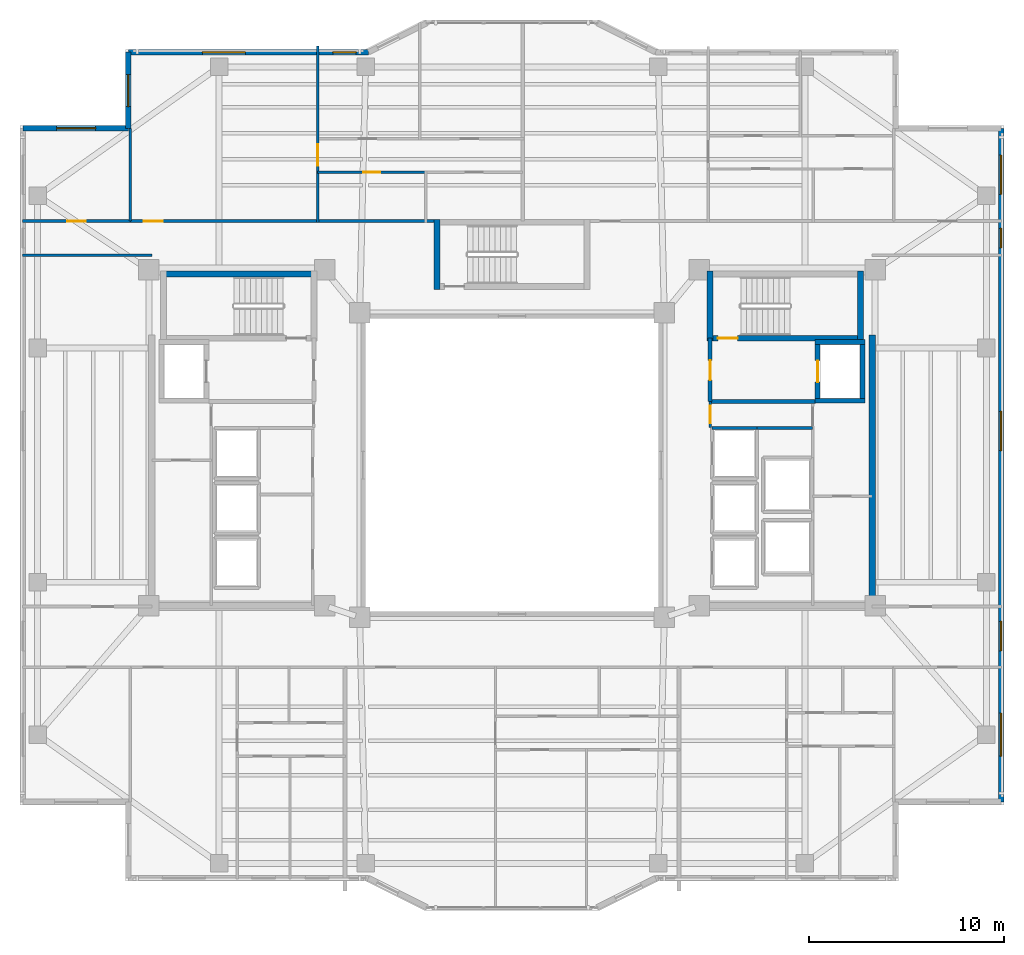
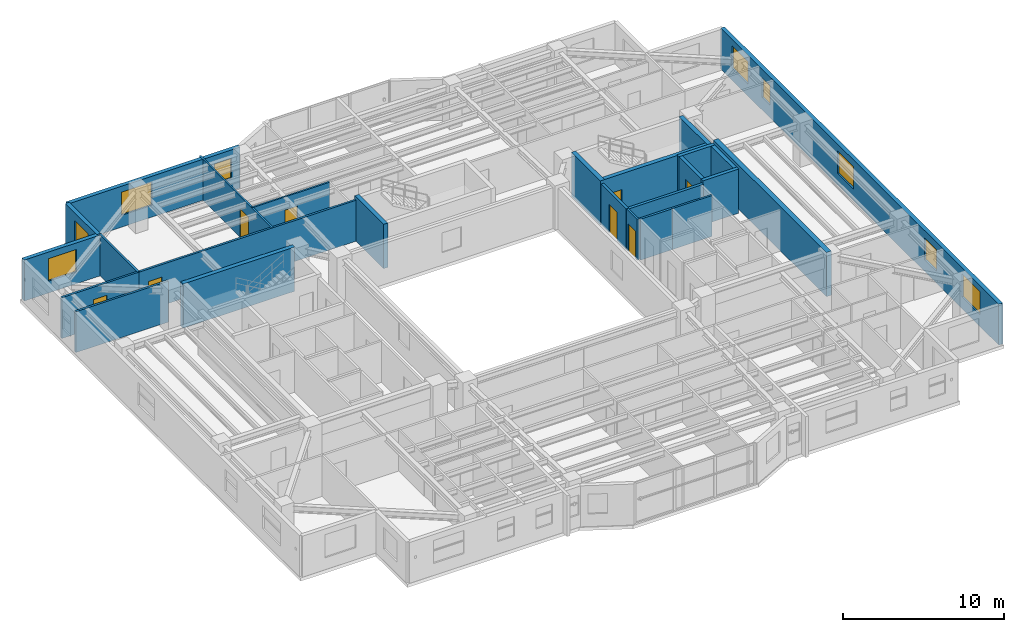
# One storey, part 9 of 15: 25 walls, 9 windows, 8 doors, 17 openings.
"""IFC4 building model written with IfcOpenShell, lengths in metres."""

from ifc_helpers import new_model, si_unit, direction, frame, frame_2d, origin, place, context, subcontext, project, spatial, rectangle, extrude, material, layer, layer_set, type_object, element, fill, save


model = new_model("IFC4")

# Units and contexts
model_context = context("Model", 3, precision=1e-05, world=origin(), true_north=direction((0.0, 1.0)))
body_context = subcontext(model_context, "Body", "Model", "MODEL_VIEW")
ifc_project = project(units=[si_unit("LENGTHUNIT", "METRE"), si_unit("AREAUNIT", "SQUARE_METRE"), si_unit("VOLUMEUNIT", "CUBIC_METRE"), si_unit("PLANEANGLEUNIT", "RADIAN"), si_unit("MASSUNIT", "GRAM", prefix="KILO")], contexts=[model_context])

# Site, building, storey
site_placement = place(None, origin())
site = spatial("IfcSite", under=ifc_project, at=site_placement, CompositionType="ELEMENT")
building_placement = place(site_placement, origin())
building = spatial("IfcBuilding", under=site, at=building_placement, Name="Tarnavaz Court Tower", CompositionType="ELEMENT")
storey_placement = place(building_placement, frame((0.0, 0.0, 159.39990234375)))
storey = spatial("IfcBuildingStorey", under=building, at=storey_placement, Name="L43", CompositionType="ELEMENT", Elevation=159.39990234375)

# Wall, opening, door
ifc_material_1 = material(Name="Concrete C50/60", Category="concrete")
ifc_layer_1 = layer(ifc_material_1, 0.25)
ifc_layer_set_1 = layer_set([ifc_layer_1], Name="Concrete C50/60")
wall_type_1 = type_object("IfcWallType", Name="WL-CORE-250-C50", PredefinedType="SHEAR", material=ifc_layer_set_1)
wall_1_placement = place(storey_placement, frame((15.64990234375, 3.175048828125, 0.0), z_axis=(0.0, 0.0, 1.0), x_axis=(0.0, 1.0, 0.0)))
wall_1 = element("IfcWall", 1, at=wall_1_placement, inside=storey, type_object=wall_type_1, Name="L43 Lift FL-E1 Shaft Wall 033", PredefinedType="SHEAR", context=body_context, shape_type="SweptSolid", body=[
    extrude(rectangle(XDim=3.25, YDim=0.25, at=frame_2d((1.625, 0.0))), origin(), (0.0, 0.0, 1.0), 3.35009765625),
])
opening_1_placement = place(wall_1_placement, frame((1.074951171875, 0.0, 0.0)))
opening_1 = element("IfcOpeningElement", 2, at=opening_1_placement, cuts=wall_1, Name="Opening LD1", PredefinedType="OPENING", context=body_context, shape_type="SweptSolid", body=[
    extrude(rectangle(XDim=1.10009765625, YDim=2.14990234375, at=frame_2d((0.550048828125, 1.074951171875))), frame((0.0, 0.135009765625, 0.0), z_axis=(0.0, -1.0, 0.0), x_axis=(1.0, 0.0, 0.0)), (0.0, 0.0, 1.0), 0.27001953125),
])
ifc_material_2 = material(Name="Stainless Steel", Category="steel")
door_type_1 = type_object("IfcDoorType", Name="DR-LD-1100", OperationType="NOTDEFINED", PredefinedType="DOOR", material=ifc_material_2)
door_1_placement = place(opening_1_placement, origin())
door_1 = element("IfcDoor", 3, at=door_1_placement, inside=storey, type_object=door_type_1, Name="L43 Lift Landing Door LD-FL-E1", OperationType="SLIDING_TO_LEFT", OverallHeight=2.14990234375, OverallWidth=1.10009765625, PredefinedType="DOOR", context=body_context, shape_type="SweptSolid", body=[
    extrude(rectangle(XDim=1.10009765625, YDim=2.14990234375, at=frame_2d((0.550048828125, 1.074951171875))), frame((0.0, 0.02490234375, 0.0), z_axis=(0.0, -1.0, 0.0), x_axis=(1.0, 0.0, 0.0)), (0.0, 0.0, 1.0), 0.050048828125),
])
fill(opening_1, door_1)

# Walls
wall_2_placement = place(storey_placement, frame((17.949951171875, 3.175048828125, 0.0), z_axis=(0.0, 0.0, 1.0), x_axis=(0.0, 1.0, 0.0)))
element("IfcWall", 4, at=wall_2_placement, inside=storey, type_object=wall_type_1, Name="L43 Lift FL-E1 Shaft Wall 034", PredefinedType="SHEAR", context=body_context, shape_type="SweptSolid", body=[
    extrude(rectangle(XDim=3.25, YDim=0.25, at=frame_2d((1.625, 0.0))), origin(), (0.0, 0.0, 1.0), 3.35009765625),
])
for number, where, z_axis, x_axis, name in (
    (5, (15.52490234375, 3.300048828125, 0.0), (0.0, 0.0, 1.0), (1.0, 0.0, 0.0), "L43 Lift FL-E1 Shaft Wall 035"),
    (6, (15.52490234375, 6.300048828125, 0.0), (0.0, 0.0, 1.0), (1.0, 0.0, 0.0), "L43 Lift FL-E1 Shaft Wall 036"),
):
    element("IfcWall", number, at=place(storey_placement, frame(where, z_axis=z_axis, x_axis=x_axis)), inside=storey, type_object=wall_type_1, Name=name, PredefinedType="SHEAR", context=body_context, shape_type="SweptSolid", body=[
        extrude(rectangle(XDim=2.550048828125, YDim=0.25, at=frame_2d((1.27490234375, 0.0))), origin(), (0.0, 0.0, 1.0), 3.35009765625),
    ])
ifc_layer_2 = layer(ifc_material_1, 0.300048828125)
ifc_layer_set_2 = layer_set([ifc_layer_2], Name="Concrete C50/60")
wall_type_2 = type_object("IfcWallType", Name="WL-CORE-300-C50", PredefinedType="SHEAR", material=ifc_layer_set_2)
wall_3_placement = place(storey_placement, frame((-18.0, 9.7900390625, 0.0), z_axis=(0.0, 0.0, 1.0), x_axis=(1.0, 0.0, 0.0)))
element("IfcWall", 7, at=wall_3_placement, inside=storey, type_object=wall_type_2, Name="L43 West Stair Core Wall 001", PredefinedType="SHEAR", context=body_context, shape_type="SweptSolid", body=[
    extrude(rectangle(XDim=8.0, YDim=0.300048828125, at=frame_2d((4.0, 0.0))), origin(), (0.0, 0.0, 1.0), 3.35009765625),
])

# Wall, opening, door
wall_4_placement = place(storey_placement, frame((10.0, 6.5, 0.0), z_axis=(0.0, 0.0, 1.0), x_axis=(1.0, 0.0, 0.0)))
wall_4 = element("IfcWall", 8, at=wall_4_placement, inside=storey, type_object=wall_type_2, Name="L43 East Stair Core Wall 006", PredefinedType="SHEAR", context=body_context, shape_type="SweptSolid", body=[
    extrude(rectangle(XDim=8.0, YDim=0.300048828125, at=frame_2d((4.0, 0.0))), origin(), (0.0, 0.0, 1.0), 3.35009765625),
])
opening_2_placement = place(wall_4_placement, frame((0.550048828125, 0.0, 0.0)))
opening_2 = element("IfcOpeningElement", 9, at=opening_2_placement, cuts=wall_4, Name="Opening D01", PredefinedType="OPENING", context=body_context, shape_type="SweptSolid", body=[
    extrude(rectangle(XDim=1.0, YDim=2.14990234375, at=frame_2d((0.5, 1.074951171875))), frame((0.0, 0.159912109375, 0.0), z_axis=(0.0, -1.0, 0.0), x_axis=(1.0, 0.0, 0.0)), (0.0, 0.0, 1.0), 0.320068359375),
])
ifc_material_3 = material(Name="Fire-Rated Hardwood Timber Core", Category="wood")
door_type_2 = type_object("IfcDoorType", Name="DR-FD90-1000", OperationType="NOTDEFINED", PredefinedType="DOOR", material=ifc_material_3)
door_2_placement = place(opening_2_placement, origin())
door_2 = element("IfcDoor", 10, at=door_2_placement, inside=storey, type_object=door_type_2, Name="L43 Stair ST-E1 Exit Door", OperationType="SINGLE_SWING_RIGHT", OverallHeight=2.14990234375, OverallWidth=1.0, PredefinedType="DOOR", context=body_context, shape_type="SweptSolid", body=[
    extrude(rectangle(XDim=1.0, YDim=2.14990234375, at=frame_2d((0.5, 1.074951171875))), frame((0.0, 0.02490234375, 0.0), z_axis=(0.0, -1.0, 0.0), x_axis=(1.0, 0.0, 0.0)), (0.0, 0.0, 1.0), 0.050048828125),
])
fill(opening_2, door_2)

# Walls
for number, where, z_axis, x_axis, name in (
    (11, (10.14990234375, 6.35009765625, 0.0), (0.0, 0.0, 1.0), (0.0, 1.0, 0.0), "L43 East Stair Core Wall 007"),
    (12, (17.85009765625, 6.35009765625, 0.0), (0.0, 0.0, 1.0), (0.0, 1.0, 0.0), "L43 East Stair Core Wall 008"),
):
    element("IfcWall", number, at=place(storey_placement, frame(where, z_axis=z_axis, x_axis=x_axis)), inside=storey, type_object=wall_type_2, Name=name, PredefinedType="SHEAR", context=body_context, shape_type="SweptSolid", body=[
        extrude(rectangle(XDim=3.58984375, YDim=0.300048828125, at=frame_2d((1.794921875, 0.0))), origin(), (0.0, 0.0, 1.0), 3.35009765625),
    ])
wall_5_placement = place(storey_placement, frame((-3.85009765625, 9.0, 0.0), z_axis=(0.0, 0.0, 1.0), x_axis=(0.0, 1.0, 0.0)))
element("IfcWall", 13, at=wall_5_placement, inside=storey, type_object=wall_type_2, Name="L43 North Stair Core Wall 011", PredefinedType="SHEAR", context=body_context, shape_type="SweptSolid", body=[
    extrude(rectangle(XDim=3.590087890625, YDim=0.300048828125, at=frame_2d((1.794921875, 0.0))), origin(), (0.0, 0.0, 1.0), 3.35009765625),
])
ifc_layer_3 = layer(ifc_material_1, 0.35009765625)
ifc_layer_set_3 = layer_set([ifc_layer_3], Name="Concrete C50/60")
wall_type_3 = type_object("IfcWallType", Name="WL-CORE-350-C50", PredefinedType="SHEAR", material=ifc_layer_set_3)
wall_6_placement = place(storey_placement, frame((18.449951171875, -7.375, 0.0), z_axis=(0.0, 0.0, 1.0), x_axis=(0.0, 1.0, 0.0)))
element("IfcWall", 14, at=wall_6_placement, inside=storey, type_object=wall_type_3, Name="L43 East Core Shear Wall 059", PredefinedType="SHEAR", context=body_context, shape_type="SweptSolid", body=[
    extrude(rectangle(XDim=14.050048828125, YDim=0.35009765625, at=frame_2d((7.02490234375, 0.0))), origin(), (0.0, 0.0, 1.0), 3.35009765625),
])

# Wall, opening, window
ifc_material_4 = material(Name="Precast Concrete C40/50", Category="concrete")
ifc_layer_4 = layer(ifc_material_4, 0.280029296875)
ifc_layer_set_4 = layer_set([ifc_layer_4], Name="Precast Concrete C40/50")
wall_type_4 = type_object("IfcWallType", Name="WL-EXT-280", PredefinedType="SOLIDWALL", material=ifc_layer_set_4)
wall_7_placement = place(storey_placement, frame((-25.050048828125, 17.25, 0.0), z_axis=(0.0, 0.0, 1.0), x_axis=(1.0, 0.0, 0.0)))
wall_7 = element("IfcWall", 15, at=wall_7_placement, inside=storey, type_object=wall_type_4, Name="L43 Exterior Terracotta Facade Wall 03", PredefinedType="SOLIDWALL", context=body_context, shape_type="SweptSolid", body=[
    extrude(rectangle(XDim=5.400146484375, YDim=0.280029296875, at=frame_2d((2.7001953125, 0.0))), origin(), (0.0, 0.0, 1.0), 3.10009765625),
])
opening_3_placement = place(wall_7_placement, frame((1.72509765625, 0.0, 0.89990234375)))
opening_3 = element("IfcOpeningElement", 16, at=opening_3_placement, cuts=wall_7, Name="Opening W08", PredefinedType="OPENING", context=body_context, shape_type="SweptSolid", body=[
    extrude(rectangle(XDim=2.0, YDim=1.699951171875, at=frame_2d((1.0, 0.85009765625))), frame((0.0, 0.14990234375, 0.0), z_axis=(0.0, -1.0, 0.0), x_axis=(1.0, 0.0, 0.0)), (0.0, 0.0, 1.0), 0.300048828125),
])
ifc_material_5 = material(Name="Double-Glazed Solar Low-E Glass", Category="glass")
window_type_1 = type_object("IfcWindowType", Name="WN-APT-2000", PartitioningType="DOUBLE_PANEL_VERTICAL", PredefinedType="WINDOW", material=ifc_material_5)
window_1_placement = place(opening_3_placement, origin())
window_1 = element("IfcWindow", 17, at=window_1_placement, inside=storey, type_object=window_type_1, Name="L43 North-West Corner Sunroom Study Window", OverallHeight=1.699951171875, OverallWidth=2.0, PartitioningType="SINGLE_PANEL", PredefinedType="WINDOW", context=body_context, shape_type="SweptSolid", body=[
    extrude(rectangle(XDim=2.0, YDim=1.699951171875, at=frame_2d((1.0, 0.85009765625))), frame((0.0, 0.030029296875, 0.0), z_axis=(0.0, -1.0, 0.0), x_axis=(1.0, 0.0, 0.0)), (0.0, 0.0, 1.0), 0.06005859375),
])
fill(opening_3, window_1)

wall_8_placement = place(storey_placement, frame((-19.64990234375, 17.25, 0.0), z_axis=(0.0, 0.0, 1.0), x_axis=(0.0, 1.0, 0.0)))
wall_8 = element("IfcWall", 18, at=wall_8_placement, inside=storey, type_object=wall_type_4, Name="L43 Exterior Terracotta Facade Wall 04", PredefinedType="SOLIDWALL", context=body_context, shape_type="SweptSolid", body=[
    extrude(rectangle(XDim=3.89990234375, YDim=0.280029296875, at=frame_2d((1.949951171875, 0.0))), origin(), (0.0, 0.0, 1.0), 3.10009765625),
])
opening_4_placement = place(wall_8_placement, frame((1.107177734375, 0.0, 0.89990234375)))
opening_4 = element("IfcOpeningElement", 19, at=opening_4_placement, cuts=wall_8, Name="Opening W02", PredefinedType="OPENING", context=body_context, shape_type="SweptSolid", body=[
    extrude(rectangle(XDim=1.64990234375, YDim=1.60009765625, at=frame_2d((0.824951171875, 0.800048828125))), frame((0.0, 0.14990234375, 0.0), z_axis=(0.0, -1.0, 0.0), x_axis=(1.0, 0.0, 0.0)), (0.0, 0.0, 1.0), 0.300048828125),
])
window_type_2 = type_object("IfcWindowType", Name="WN-APT-1650", PartitioningType="DOUBLE_PANEL_VERTICAL", PredefinedType="WINDOW", material=ifc_material_5)
window_2_placement = place(opening_4_placement, origin())
window_2 = element("IfcWindow", 20, at=window_2_placement, inside=storey, type_object=window_type_2, Name="L43 Flat 01 Living and Dining Room Window", OverallHeight=1.60009765625, OverallWidth=1.64990234375, PartitioningType="SINGLE_PANEL", PredefinedType="WINDOW", context=body_context, shape_type="SweptSolid", body=[
    extrude(rectangle(XDim=1.64990234375, YDim=1.60009765625, at=frame_2d((0.824951171875, 0.800048828125))), frame((0.0, 0.030029296875, 0.0), z_axis=(0.0, -1.0, 0.0), x_axis=(1.0, 0.0, 0.0)), (0.0, 0.0, 1.0), 0.06005859375),
])
fill(opening_4, window_2)

# Wall, openings, windows
wall_9_placement = place(storey_placement, frame((-19.64990234375, 21.14990234375, 0.0), z_axis=(0.0, 0.0, 1.0), x_axis=(1.0, 0.0, 0.0)))
wall_9 = element("IfcWall", 21, at=wall_9_placement, inside=storey, type_object=wall_type_4, Name="L43 Exterior Terracotta Facade Wall 05", PredefinedType="SOLIDWALL", context=body_context, shape_type="SweptSolid", body=[
    extrude(rectangle(XDim=12.2998046875, YDim=0.280029296875, at=frame_2d((6.14990234375, 0.0))), origin(), (0.0, 0.0, 1.0), 3.10009765625),
])
opening_5_placement = place(wall_9_placement, frame((3.794921875, 0.0, 0.89990234375)))
opening_5 = element("IfcOpeningElement", 22, at=opening_5_placement, cuts=wall_9, Name="Opening W07", PredefinedType="OPENING", context=body_context, shape_type="SweptSolid", body=[
    extrude(rectangle(XDim=2.199951171875, YDim=1.75, at=frame_2d((1.10009765625, 0.875))), frame((0.0, 0.14990234375, 0.0), z_axis=(0.0, -1.0, 0.0), x_axis=(1.0, 0.0, 0.0)), (0.0, 0.0, 1.0), 0.300048828125),
])
opening_6_placement = place(wall_9_placement, frame((10.469970703125, 0.0, 0.949951171875)))
opening_6 = element("IfcOpeningElement", 23, at=opening_6_placement, cuts=wall_9, Name="Opening W05", PredefinedType="OPENING", context=body_context, shape_type="SweptSolid", body=[
    extrude(rectangle(XDim=1.199951171875, YDim=1.5, at=frame_2d((0.60009765625, 0.75))), frame((0.0, 0.14990234375, 0.0), z_axis=(0.0, -1.0, 0.0), x_axis=(1.0, 0.0, 0.0)), (0.0, 0.0, 1.0), 0.300048828125),
])
window_type_3 = type_object("IfcWindowType", Name="WN-APT-1200", PartitioningType="SINGLE_PANEL", PredefinedType="WINDOW", material=ifc_material_5)
window_3_placement = place(opening_6_placement, origin())
window_3 = element("IfcWindow", 24, at=window_3_placement, inside=storey, type_object=window_type_3, Name="L43 Flat 01 Principal Bedroom Window", OverallHeight=1.5, OverallWidth=1.199951171875, PartitioningType="SINGLE_PANEL", PredefinedType="WINDOW", context=body_context, shape_type="SweptSolid", body=[
    extrude(rectangle(XDim=1.199951171875, YDim=1.5, at=frame_2d((0.60009765625, 0.75))), frame((0.0, 0.030029296875, 0.0), z_axis=(0.0, -1.0, 0.0), x_axis=(1.0, 0.0, 0.0)), (0.0, 0.0, 1.0), 0.06005859375),
])
fill(opening_6, window_3)
window_type_4 = type_object("IfcWindowType", Name="WN-APT-2200", PartitioningType="TRIPLE_PANEL_VERTICAL", PredefinedType="WINDOW", material=ifc_material_5)
window_4_placement = place(opening_5_placement, origin())
window_4 = element("IfcWindow", 25, at=window_4_placement, inside=storey, type_object=window_type_4, Name="L43 Flat 01 Living and Dining Room Window", OverallHeight=1.75, OverallWidth=2.199951171875, PartitioningType="SINGLE_PANEL", PredefinedType="WINDOW", context=body_context, shape_type="SweptSolid", body=[
    extrude(rectangle(XDim=2.199951171875, YDim=1.75, at=frame_2d((1.10009765625, 0.875))), frame((0.0, 0.030029296875, 0.0), z_axis=(0.0, -1.0, 0.0), x_axis=(1.0, 0.0, 0.0)), (0.0, 0.0, 1.0), 0.06005859375),
])
fill(opening_5, window_4)

wall_10_placement = place(storey_placement, frame((25.050048828125, 17.25, 0.0), z_axis=(0.0, 0.0, 1.0), x_axis=(0.0, -1.0, 0.0)))
wall_10 = element("IfcWall", 26, at=wall_10_placement, inside=storey, type_object=wall_type_4, Name="L43 Exterior Terracotta Facade Wall 12", PredefinedType="SOLIDWALL", context=body_context, shape_type="SweptSolid", body=[
    extrude(rectangle(XDim=34.5, YDim=0.280029296875, at=frame_2d((17.25, 0.0))), origin(), (0.0, 0.0, 1.0), 3.10009765625),
])
opening_7_placement = place(wall_10_placement, frame((1.375, 0.0, 0.89990234375)))
opening_7 = element("IfcOpeningElement", 27, at=opening_7_placement, cuts=wall_10, Name="Opening W08", PredefinedType="OPENING", context=body_context, shape_type="SweptSolid", body=[
    extrude(rectangle(XDim=2.0, YDim=1.699951171875, at=frame_2d((1.0, 0.85009765625))), frame((0.0, 0.14990234375, 0.0), z_axis=(0.0, -1.0, 0.0), x_axis=(1.0, 0.0, 0.0)), (0.0, 0.0, 1.0), 0.300048828125),
])
opening_8_placement = place(wall_10_placement, frame((5.125, 0.0, 0.949951171875)))
opening_8 = element("IfcOpeningElement", 28, at=opening_8_placement, cuts=wall_10, Name="Opening W14", PredefinedType="OPENING", context=body_context, shape_type="SweptSolid", body=[
    extrude(rectangle(XDim=1.0, YDim=1.5, at=frame_2d((0.5, 0.75))), frame((0.0, 0.14990234375, 0.0), z_axis=(0.0, -1.0, 0.0), x_axis=(1.0, 0.0, 0.0)), (0.0, 0.0, 1.0), 0.300048828125),
])
opening_9_placement = place(wall_10_placement, frame((14.5, 0.0, 0.89990234375)))
opening_9 = element("IfcOpeningElement", 29, at=opening_9_placement, cuts=wall_10, Name="Opening W08", PredefinedType="OPENING", context=body_context, shape_type="SweptSolid", body=[
    extrude(rectangle(XDim=2.0, YDim=1.699951171875, at=frame_2d((1.0, 0.85009765625))), frame((0.0, 0.14990234375, 0.0), z_axis=(0.0, -1.0, 0.0), x_axis=(1.0, 0.0, 0.0)), (0.0, 0.0, 1.0), 0.300048828125),
])
opening_10_placement = place(wall_10_placement, frame((25.257568359375, 0.0, 0.89990234375)))
opening_10 = element("IfcOpeningElement", 30, at=opening_10_placement, cuts=wall_10, Name="Opening W03", PredefinedType="OPENING", context=body_context, shape_type="SweptSolid", body=[
    extrude(rectangle(XDim=1.5, YDim=1.64990234375, at=frame_2d((0.75, 0.824951171875))), frame((0.0, 0.14990234375, 0.0), z_axis=(0.0, -1.0, 0.0), x_axis=(1.0, 0.0, 0.0)), (0.0, 0.0, 1.0), 0.300048828125),
])
opening_11_placement = place(wall_10_placement, frame((29.949951171875, 0.0, 0.89990234375)))
opening_11 = element("IfcOpeningElement", 31, at=opening_11_placement, cuts=wall_10, Name="Opening W07", PredefinedType="OPENING", context=body_context, shape_type="SweptSolid", body=[
    extrude(rectangle(XDim=2.199951171875, YDim=1.75, at=frame_2d((1.10009765625, 0.875))), frame((0.0, 0.14990234375, 0.0), z_axis=(0.0, -1.0, 0.0), x_axis=(1.0, 0.0, 0.0)), (0.0, 0.0, 1.0), 0.300048828125),
])
window_type_5 = type_object("IfcWindowType", Name="WN-APT-1000", PartitioningType="SINGLE_PANEL", PredefinedType="WINDOW", material=ifc_material_5)
window_5_placement = place(opening_8_placement, origin())
window_5 = element("IfcWindow", 32, at=window_5_placement, inside=storey, type_object=window_type_5, Name="L43 North-East Corner Corridor Window", OverallHeight=1.5, OverallWidth=1.0, PartitioningType="SINGLE_PANEL", PredefinedType="WINDOW", context=body_context, shape_type="SweptSolid", body=[
    extrude(rectangle(XDim=1.0, YDim=1.5, at=frame_2d((0.5, 0.75))), frame((0.0, 0.030029296875, 0.0), z_axis=(0.0, -1.0, 0.0), x_axis=(1.0, 0.0, 0.0)), (0.0, 0.0, 1.0), 0.06005859375),
])
fill(opening_8, window_5)
window_type_6 = type_object("IfcWindowType", Name="WN-APT-1500", PartitioningType="DOUBLE_PANEL_VERTICAL", PredefinedType="WINDOW", material=ifc_material_5)
window_6_placement = place(opening_10_placement, origin())
window_6 = element("IfcWindow", 33, at=window_6_placement, inside=storey, type_object=window_type_6, Name="L43 South-East Corner Corridor Window", OverallHeight=1.64990234375, OverallWidth=1.5, PartitioningType="SINGLE_PANEL", PredefinedType="WINDOW", context=body_context, shape_type="SweptSolid", body=[
    extrude(rectangle(XDim=1.5, YDim=1.64990234375, at=frame_2d((0.75, 0.824951171875))), frame((0.0, 0.030029296875, 0.0), z_axis=(0.0, -1.0, 0.0), x_axis=(1.0, 0.0, 0.0)), (0.0, 0.0, 1.0), 0.06005859375),
])
fill(opening_10, window_6)
window_7_placement = place(opening_7_placement, origin())
window_7 = element("IfcWindow", 34, at=window_7_placement, inside=storey, type_object=window_type_1, Name="L43 North-East Corner Sunroom Study Window", OverallHeight=1.699951171875, OverallWidth=2.0, PartitioningType="SINGLE_PANEL", PredefinedType="WINDOW", context=body_context, shape_type="SweptSolid", body=[
    extrude(rectangle(XDim=2.0, YDim=1.699951171875, at=frame_2d((1.0, 0.85009765625))), frame((0.0, 0.030029296875, 0.0), z_axis=(0.0, -1.0, 0.0), x_axis=(1.0, 0.0, 0.0)), (0.0, 0.0, 1.0), 0.06005859375),
])
fill(opening_7, window_7)
window_8_placement = place(opening_9_placement, origin())
window_8 = element("IfcWindow", 35, at=window_8_placement, inside=storey, type_object=window_type_1, Name="L43 East Wing Resident Fitness Lounge Window", OverallHeight=1.699951171875, OverallWidth=2.0, PartitioningType="SINGLE_PANEL", PredefinedType="WINDOW", context=body_context, shape_type="SweptSolid", body=[
    extrude(rectangle(XDim=2.0, YDim=1.699951171875, at=frame_2d((1.0, 0.85009765625))), frame((0.0, 0.030029296875, 0.0), z_axis=(0.0, -1.0, 0.0), x_axis=(1.0, 0.0, 0.0)), (0.0, 0.0, 1.0), 0.06005859375),
])
fill(opening_9, window_8)
window_9_placement = place(opening_11_placement, origin())
window_9 = element("IfcWindow", 36, at=window_9_placement, inside=storey, type_object=window_type_4, Name="L43 South-East Corner Reading Room Window", OverallHeight=1.75, OverallWidth=2.199951171875, PartitioningType="SINGLE_PANEL", PredefinedType="WINDOW", context=body_context, shape_type="SweptSolid", body=[
    extrude(rectangle(XDim=2.199951171875, YDim=1.75, at=frame_2d((1.10009765625, 0.875))), frame((0.0, 0.030029296875, 0.0), z_axis=(0.0, -1.0, 0.0), x_axis=(1.0, 0.0, 0.0)), (0.0, 0.0, 1.0), 0.06005859375),
])
fill(opening_11, window_9)

# Wall, opening, door
ifc_material_6 = material(Name="Gypsum Fire-Board on Acoustic Metal Stud", Category="masonry")
ifc_layer_5 = layer(ifc_material_6, 0.14990234375)
ifc_layer_set_5 = layer_set([ifc_layer_5], Name="Gypsum Fire-Board on Acoustic Metal Stud")
wall_type_5 = type_object("IfcWallType", Name="WL-FIRE-150", PredefinedType="PARTITIONING", material=ifc_layer_set_5)
wall_11_placement = place(storey_placement, frame((-19.550048828125, 12.5, 0.0), z_axis=(0.0, 0.0, 1.0), x_axis=(1.0, 0.0, 0.0)))
wall_11 = element("IfcWall", 37, at=wall_11_placement, inside=storey, type_object=wall_type_5, Name="L43 NW Wing Corridor Wall 071", PredefinedType="PARTITIONING", context=body_context, shape_type="SweptSolid", body=[
    extrude(rectangle(XDim=15.699951171875, YDim=0.14990234375, at=frame_2d((7.85009765625, 0.0))), origin(), (0.0, 0.0, 1.0), 3.10009765625),
])
opening_12_placement = place(wall_11_placement, frame((0.699951171875, 0.0, 0.0)))
opening_12 = element("IfcOpeningElement", 38, at=opening_12_placement, cuts=wall_11, Name="Opening D06", PredefinedType="OPENING", context=body_context, shape_type="SweptSolid", body=[
    extrude(rectangle(XDim=0.9599609375, YDim=2.14990234375, at=frame_2d((0.47998046875, 1.074951171875))), frame((0.0, 0.0849609375, 0.0), z_axis=(0.0, -1.0, 0.0), x_axis=(1.0, 0.0, 0.0)), (0.0, 0.0, 1.0), 0.169921875),
])
door_type_3 = type_object("IfcDoorType", Name="DR-FD60-950", OperationType="NOTDEFINED", PredefinedType="DOOR", material=ifc_material_3)
door_3_placement = place(opening_12_placement, origin())
door_3 = element("IfcDoor", 39, at=door_3_placement, inside=storey, type_object=door_type_3, Name="L43 Flat 01 Entrance Door", OperationType="SINGLE_SWING_LEFT", OverallHeight=2.14990234375, OverallWidth=0.9599609375, PredefinedType="DOOR", context=body_context, shape_type="SweptSolid", body=[
    extrude(rectangle(XDim=0.9599609375, YDim=2.14990234375, at=frame_2d((0.47998046875, 1.074951171875))), frame((0.0, 0.02490234375, 0.0), z_axis=(0.0, -1.0, 0.0), x_axis=(1.0, 0.0, 0.0)), (0.0, 0.0, 1.0), 0.050048828125),
])
fill(opening_12, door_3)

# Wall
wall_12_placement = place(storey_placement, frame((-25.080078125, 10.75, 0.0), z_axis=(0.0, 0.0, 1.0), x_axis=(1.0, 0.0, 0.0)))
element("IfcWall", 40, at=wall_12_placement, inside=storey, type_object=wall_type_5, Name="L43 Interior Partition 110", PredefinedType="PARTITIONING", context=body_context, shape_type="SweptSolid", body=[
    extrude(rectangle(XDim=6.630126953125, YDim=0.14990234375, at=frame_2d((3.31494140625, 0.0))), origin(), (0.0, 0.0, 1.0), 3.10009765625),
])

# Wall, opening, door
wall_13_placement = place(storey_placement, frame((-25.080078125, 12.5, 0.0), z_axis=(0.0, 0.0, 1.0), x_axis=(1.0, 0.0, 0.0)))
wall_13 = element("IfcWall", 41, at=wall_13_placement, inside=storey, type_object=wall_type_5, Name="L43 Interior Partition 117", PredefinedType="PARTITIONING", context=body_context, shape_type="SweptSolid", body=[
    extrude(rectangle(XDim=5.530029296875, YDim=0.14990234375, at=frame_2d((2.76513671875, 0.0))), origin(), (0.0, 0.0, 1.0), 3.10009765625),
])
opening_13_placement = place(wall_13_placement, frame((2.2900390625, 0.0, 0.0)))
opening_13 = element("IfcOpeningElement", 42, at=opening_13_placement, cuts=wall_13, Name="Opening D13", PredefinedType="OPENING", context=body_context, shape_type="SweptSolid", body=[
    extrude(rectangle(XDim=0.949951171875, YDim=2.14990234375, at=frame_2d((0.47509765625, 1.074951171875))), frame((0.0, 0.0849609375, 0.0), z_axis=(0.0, -1.0, 0.0), x_axis=(1.0, 0.0, 0.0)), (0.0, 0.0, 1.0), 0.169921875),
])
ifc_material_7 = material(Name="Engineered Oak Timber", Category="wood")
door_type_4 = type_object("IfcDoorType", Name="DR-INT-950", OperationType="NOTDEFINED", PredefinedType="DOOR", material=ifc_material_7)
door_4_placement = place(opening_13_placement, origin())
door_4 = element("IfcDoor", 43, at=door_4_placement, inside=storey, type_object=door_type_4, Name="L43 NW Sunroom Door", OperationType="SINGLE_SWING_LEFT", OverallHeight=2.14990234375, OverallWidth=0.949951171875, PredefinedType="DOOR", context=body_context, shape_type="SweptSolid", body=[
    extrude(rectangle(XDim=0.949951171875, YDim=2.14990234375, at=frame_2d((0.47509765625, 1.074951171875))), frame((0.0, 0.02490234375, 0.0), z_axis=(0.0, -1.0, 0.0), x_axis=(1.0, 0.0, 0.0)), (0.0, 0.0, 1.0), 0.050048828125),
])
fill(opening_13, door_4)

# Wall
ifc_material_8 = material(Name="Autoclaved Aerated Concrete Blockwork", Category="masonry")
ifc_layer_6 = layer(ifc_material_8, 0.199951171875)
ifc_layer_set_6 = layer_set([ifc_layer_6], Name="Autoclaved Aerated Concrete Blockwork")
wall_type_6 = type_object("IfcWallType", Name="WL-FIRE-200", PredefinedType="SOLIDWALL", material=ifc_layer_set_6)
wall_14_placement = place(storey_placement, frame((10.14990234375, 3.25, 0.0), z_axis=(0.0, 0.0, 1.0), x_axis=(1.0, 0.0, 0.0)))
element("IfcWall", 44, at=wall_14_placement, inside=storey, type_object=wall_type_6, Name="L43 East Firefighting Lobby Wall 015", PredefinedType="SOLIDWALL", context=body_context, shape_type="SweptSolid", body=[
    extrude(rectangle(XDim=5.400146484375, YDim=0.199951171875, at=frame_2d((2.7001953125, 0.0))), origin(), (0.0, 0.0, 1.0), 3.10009765625),
])

# Wall, opening, door
wall_15_placement = place(storey_placement, frame((10.14990234375, 3.25, 0.0), z_axis=(0.0, 0.0, 1.0), x_axis=(0.0, 1.0, 0.0)))
wall_15 = element("IfcWall", 45, at=wall_15_placement, inside=storey, type_object=wall_type_6, Name="L43 East Firefighting Lobby Wall 016", PredefinedType="SOLIDWALL", context=body_context, shape_type="SweptSolid", body=[
    extrude(rectangle(XDim=3.25, YDim=0.199951171875, at=frame_2d((1.625, 0.0))), origin(), (0.0, 0.0, 1.0), 3.10009765625),
])
opening_14_placement = place(wall_15_placement, frame((1.10009765625, 0.0, 0.0)))
opening_14 = element("IfcOpeningElement", 46, at=opening_14_placement, cuts=wall_15, Name="Opening D05", PredefinedType="OPENING", context=body_context, shape_type="SweptSolid", body=[
    extrude(rectangle(XDim=1.02001953125, YDim=2.14990234375, at=frame_2d((0.510009765625, 1.074951171875))), frame((0.0, 0.10986328125, 0.0), z_axis=(0.0, -1.0, 0.0), x_axis=(1.0, 0.0, 0.0)), (0.0, 0.0, 1.0), 0.219970703125),
])
door_type_5 = type_object("IfcDoorType", Name="DR-FD60-1000", OperationType="NOTDEFINED", PredefinedType="DOOR", material=ifc_material_3)
door_5_placement = place(opening_14_placement, origin())
door_5 = element("IfcDoor", 47, at=door_5_placement, inside=storey, type_object=door_type_5, Name="L43 East Firefighting Lobby Door", OperationType="SINGLE_SWING_LEFT", OverallHeight=2.14990234375, OverallWidth=1.02001953125, PredefinedType="DOOR", context=body_context, shape_type="SweptSolid", body=[
    extrude(rectangle(XDim=1.02001953125, YDim=2.14990234375, at=frame_2d((0.510009765625, 1.074951171875))), frame((0.0, 0.02490234375, 0.0), z_axis=(0.0, -1.0, 0.0), x_axis=(1.0, 0.0, 0.0)), (0.0, 0.0, 1.0), 0.050048828125),
])
fill(opening_14, door_5)

ifc_material_9 = material(Name="Moisture-Resistant Gypsum Board Partition", Category="masonry")
ifc_layer_7 = layer(ifc_material_9, 0.1201171875)
ifc_layer_set_7 = layer_set([ifc_layer_7], Name="Moisture-Resistant Gypsum Board Partition")
wall_type_7 = type_object("IfcWallType", Name="WL-PART-120", PredefinedType="PARTITIONING", material=ifc_layer_set_7)
wall_16_placement = place(storey_placement, frame((-9.955078125, 12.43994140625, 0.0), z_axis=(0.0, 0.0, 1.0), x_axis=(0.0, 1.0, 0.0)))
wall_16 = element("IfcWall", 48, at=wall_16_placement, inside=storey, type_object=wall_type_7, Name="L43 Interior Partition 076", PredefinedType="PARTITIONING", context=body_context, shape_type="SweptSolid", body=[
    extrude(rectangle(XDim=9.01806640625, YDim=0.1201171875, at=frame_2d((4.509033203125, 0.0))), origin(), (0.0, 0.0, 1.0), 3.10009765625),
])
opening_15_placement = place(wall_16_placement, frame((2.905029296875, 0.0, 0.0)))
opening_15 = element("IfcOpeningElement", 49, at=opening_15_placement, cuts=wall_16, Name="Opening D12", PredefinedType="OPENING", context=body_context, shape_type="SweptSolid", body=[
    extrude(rectangle(XDim=1.080078125, YDim=2.14990234375, at=frame_2d((0.5400390625, 1.074951171875))), frame((0.0, 0.070068359375, 0.0), z_axis=(0.0, -1.0, 0.0), x_axis=(1.0, 0.0, 0.0)), (0.0, 0.0, 1.0), 0.14013671875),
])
door_type_6 = type_object("IfcDoorType", Name="DR-INT-1100", OperationType="NOTDEFINED", PredefinedType="DOOR", material=ifc_material_7)
door_6_placement = place(opening_15_placement, origin())
door_6 = element("IfcDoor", 50, at=door_6_placement, inside=storey, type_object=door_type_6, Name="L43 Flat 01 Foyer Door", OperationType="SINGLE_SWING_RIGHT", OverallHeight=2.14990234375, OverallWidth=1.080078125, PredefinedType="DOOR", context=body_context, shape_type="SweptSolid", body=[
    extrude(rectangle(XDim=1.080078125, YDim=2.14990234375, at=frame_2d((0.5400390625, 1.074951171875))), frame((0.0, 0.02490234375, 0.0), z_axis=(0.0, -1.0, 0.0), x_axis=(1.0, 0.0, 0.0)), (0.0, 0.0, 1.0), 0.050048828125),
])
fill(opening_15, door_6)

wall_17_placement = place(storey_placement, frame((-9.955078125, 15.0, 0.0), z_axis=(0.0, 0.0, 1.0), x_axis=(1.0, 0.0, 0.0)))
wall_17 = element("IfcWall", 51, at=wall_17_placement, inside=storey, type_object=wall_type_7, Name="L43 Interior Partition 077", PredefinedType="PARTITIONING", context=body_context, shape_type="SweptSolid", body=[
    extrude(rectangle(XDim=5.5361328125, YDim=0.1201171875, at=frame_2d((2.76806640625, 0.0))), origin(), (0.0, 0.0, 1.0), 3.10009765625),
])
opening_16_placement = place(wall_17_placement, frame((2.327880859375, 0.0, 0.0)))
opening_16 = element("IfcOpeningElement", 52, at=opening_16_placement, cuts=wall_17, Name="Opening D14", PredefinedType="OPENING", context=body_context, shape_type="SweptSolid", body=[
    extrude(rectangle(XDim=0.8798828125, YDim=2.10009765625, at=frame_2d((0.43994140625, 1.050048828125))), frame((0.0, 0.070068359375, 0.0), z_axis=(0.0, -1.0, 0.0), x_axis=(1.0, 0.0, 0.0)), (0.0, 0.0, 1.0), 0.14013671875),
])
door_type_7 = type_object("IfcDoorType", Name="DR-INT-900", OperationType="NOTDEFINED", PredefinedType="DOOR", material=ifc_material_7)
door_7_placement = place(opening_16_placement, origin())
door_7 = element("IfcDoor", 53, at=door_7_placement, inside=storey, type_object=door_type_7, Name="L43 Flat 01 Kitchen Door", OperationType="SINGLE_SWING_LEFT", OverallHeight=2.10009765625, OverallWidth=0.8798828125, PredefinedType="DOOR", context=body_context, shape_type="SweptSolid", body=[
    extrude(rectangle(XDim=0.8798828125, YDim=2.10009765625, at=frame_2d((0.43994140625, 1.050048828125))), frame((0.0, 0.02490234375, 0.0), z_axis=(0.0, -1.0, 0.0), x_axis=(1.0, 0.0, 0.0)), (0.0, 0.0, 1.0), 0.050048828125),
])
fill(opening_16, door_7)

# Wall
ifc_material_10 = material(Name="Gypsum Plasterboard Acoustic Partition", Category="masonry")
ifc_layer_8 = layer(ifc_material_10, 0.139892578125)
ifc_layer_set_8 = layer_set([ifc_layer_8], Name="Gypsum Plasterboard Acoustic Partition")
wall_type_8 = type_object("IfcWallType", Name="WL-PART-150", PredefinedType="PARTITIONING", material=ifc_layer_set_8)
wall_18_placement = place(storey_placement, frame((12.550048828125, 1.89990234375, 0.0), z_axis=(0.0, 0.0, 1.0), x_axis=(1.0, 0.0, 0.0)))
element("IfcWall", 54, at=wall_18_placement, inside=storey, type_object=wall_type_8, Name="L43 Interior Partition 067", PredefinedType="PARTITIONING", context=body_context, shape_type="SweptSolid", body=[
    extrude(rectangle(XDim=2.849853515625, YDim=0.139892578125, at=frame_2d((1.4248046875, 0.0))), origin(), (0.0, 0.0, 1.0), 3.10009765625),
])

# Wall, opening, door
wall_19_placement = place(storey_placement, frame((10.14990234375, 1.919921875, 0.0), z_axis=(0.0, 0.0, 1.0), x_axis=(0.0, 1.0, 0.0)))
wall_19 = element("IfcWall", 55, at=wall_19_placement, inside=storey, type_object=wall_type_8, Name="L43 Interior Partition 068", PredefinedType="PARTITIONING", context=body_context, shape_type="SweptSolid", body=[
    extrude(rectangle(XDim=1.330078125, YDim=0.139892578125, at=frame_2d((0.6650390625, 0.0))), origin(), (0.0, 0.0, 1.0), 3.10009765625),
])
opening_17_placement = place(wall_19_placement, frame((0.219970703125, 0.0, 0.0)))
opening_17 = element("IfcOpeningElement", 56, at=opening_17_placement, cuts=wall_19, Name="Opening D09", PredefinedType="OPENING", context=body_context, shape_type="SweptSolid", body=[
    extrude(rectangle(XDim=0.89990234375, YDim=2.080078125, at=frame_2d((0.449951171875, 1.0400390625))), frame((0.0, 0.079833984375, 0.0), z_axis=(0.0, -1.0, 0.0), x_axis=(1.0, 0.0, 0.0)), (0.0, 0.0, 1.0), 0.159912109375),
])
door_type_8 = type_object("IfcDoorType", Name="DR-FD30-900", OperationType="NOTDEFINED", PredefinedType="DOOR", material=ifc_material_3)
door_8_placement = place(opening_17_placement, origin())
door_8 = element("IfcDoor", 57, at=door_8_placement, inside=storey, type_object=door_type_8, Name="L43 East Core Service Lobby Door", OperationType="SINGLE_SWING_RIGHT", OverallHeight=2.080078125, OverallWidth=0.89990234375, PredefinedType="DOOR", context=body_context, shape_type="SweptSolid", body=[
    extrude(rectangle(XDim=0.89990234375, YDim=2.080078125, at=frame_2d((0.449951171875, 1.0400390625))), frame((0.0, 0.02490234375, 0.0), z_axis=(0.0, -1.0, 0.0), x_axis=(1.0, 0.0, 0.0)), (0.0, 0.0, 1.0), 0.050048828125),
])
fill(opening_17, door_8)

# Walls
wall_20_placement = place(storey_placement, frame((-19.550048828125, 12.5, 0.0), z_axis=(0.0, 0.0, 1.0), x_axis=(0.0, 1.0, 0.0)))
element("IfcWall", 58, at=wall_20_placement, inside=storey, type_object=wall_type_8, Name="L43 Interior Partition 115", PredefinedType="PARTITIONING", context=body_context, shape_type="SweptSolid", body=[
    extrude(rectangle(XDim=4.75, YDim=0.139892578125, at=frame_2d((2.375, 0.0))), origin(), (0.0, 0.0, 1.0), 3.10009765625),
])
ifc_layer_9 = layer(ifc_material_8, 0.159912109375)
ifc_layer_set_9 = layer_set([ifc_layer_9], Name="Autoclaved Aerated Concrete Blockwork")
wall_type_9 = type_object("IfcWallType", Name="WL-SHAFT-150", PredefinedType="SOLIDWALL", material=ifc_layer_set_9)
wall_21_placement = place(storey_placement, frame((10.25, 1.89990234375, 0.0), z_axis=(0.0, 0.0, 1.0), x_axis=(1.0, 0.0, 0.0)))
element("IfcWall", 59, at=wall_21_placement, inside=storey, type_object=wall_type_9, Name="L43 Lift PL-M3 Shaft Wall 048", PredefinedType="SOLIDWALL", context=body_context, shape_type="SweptSolid", body=[
    extrude(rectangle(XDim=2.300048828125, YDim=0.159912109375, at=frame_2d((1.14990234375, 0.0))), origin(), (0.0, 0.0, 1.0), 3.10009765625),
])

save(model, "model.ifc")
